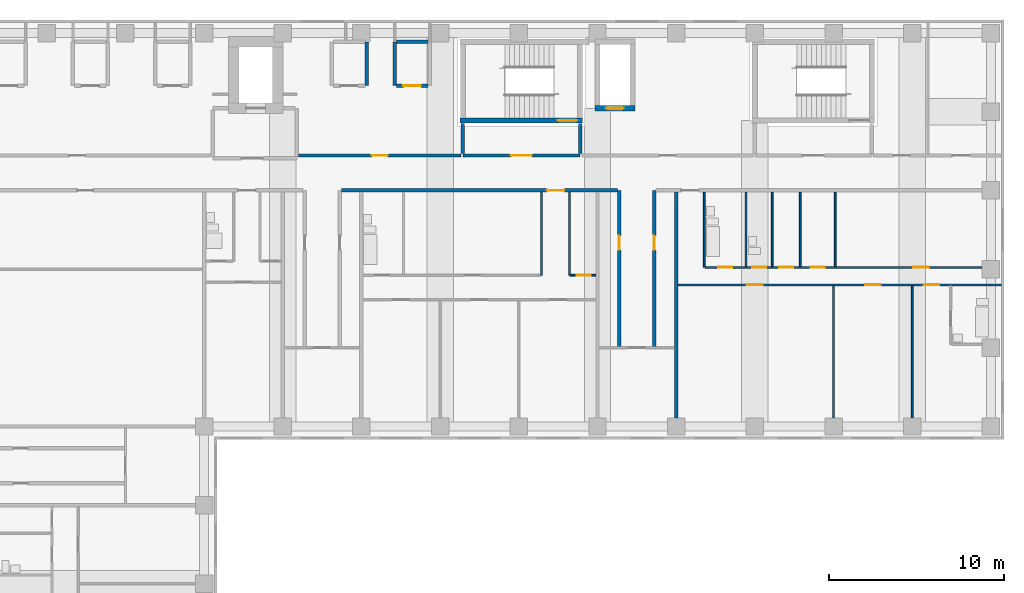
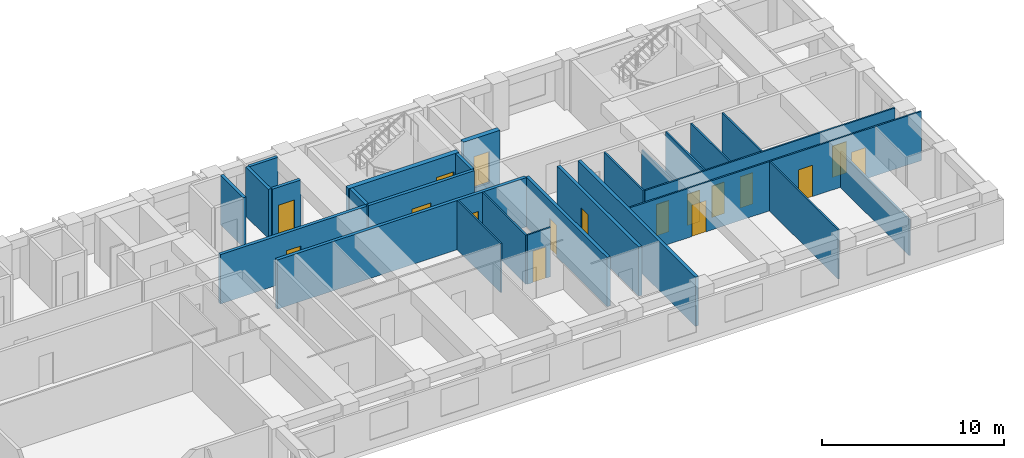
# One storey, part 7 of 12: 26 walls, 17 doors, 17 openings.
"""IFC4 building model written with IfcOpenShell, lengths in metres."""

from ifc_helpers import new_model, si_unit, direction, frame, frame_2d, origin, place, context, subcontext, project, spatial, rectangle, extrude, material, layer, layer_set, type_object, element, fill, save


model = new_model("IFC4")

# Units and contexts
model_context = context("Model", 3, precision=1e-05, world=origin(), true_north=direction((0.0, 1.0)))
body_context = subcontext(model_context, "Body", "Model", "MODEL_VIEW")
ifc_project = project(units=[si_unit("LENGTHUNIT", "METRE"), si_unit("AREAUNIT", "SQUARE_METRE"), si_unit("VOLUMEUNIT", "CUBIC_METRE"), si_unit("PLANEANGLEUNIT", "RADIAN"), si_unit("MASSUNIT", "GRAM", prefix="KILO")], contexts=[model_context])

# Site, building, storey
site_placement = place(None, origin())
site = spatial("IfcSite", under=ifc_project, at=site_placement, CompositionType="ELEMENT")
building_placement = place(site_placement, origin())
building = spatial("IfcBuilding", under=site, at=building_placement, Name="Firuza Court", CompositionType="ELEMENT")
storey_placement = place(building_placement, frame((0.0, 0.0, 144.800048828125)))
storey = spatial("IfcBuildingStorey", under=building, at=storey_placement, Name="L36", CompositionType="ELEMENT", Elevation=144.800048828125)

# Walls
ifc_material_1 = material(Name="Moisture-resistant gypsum board partition")
ifc_layer_1 = layer(ifc_material_1, 0.10009765625)
ifc_layer_set_1 = layer_set([ifc_layer_1], Name="Moisture-resistant gypsum board partition")
wall_type_1 = type_object("IfcWallType", Name="Bathroom partition 100", PredefinedType="PLUMBINGWALL", material=ifc_layer_set_1)
wall_1_placement = place(storey_placement, frame((51.10009765625, 45.10009765625, 0.0), z_axis=(0.0, 0.0, 1.0), x_axis=(0.0, 1.0, 0.0)))
element("IfcWall", 1, at=wall_1_placement, inside=storey, type_object=wall_type_1, Name="Bathroom partition 100 L36", PredefinedType="PLUMBINGWALL", context=body_context, shape_type="SweptSolid", body=[
    extrude(rectangle(XDim=4.2998046875, YDim=0.10009765625, at=frame_2d((2.14990234375, 0.0))), origin(), (0.0, 0.0, 1.0), 3.300048828125),
])
wall_2_placement = place(storey_placement, frame((53.5, 45.14990234375, 0.0), z_axis=(0.0, 0.0, 1.0), x_axis=(0.0, 1.0, 0.0)))
element("IfcWall", 2, at=wall_2_placement, inside=storey, type_object=wall_type_1, Name="Bathroom partition 100 L36", PredefinedType="PLUMBINGWALL", context=body_context, shape_type="SweptSolid", body=[
    extrude(rectangle(XDim=4.25, YDim=0.10009765625, at=frame_2d((2.125, 0.0))), origin(), (0.0, 0.0, 1.0), 2.599853515625),
])
wall_3_placement = place(storey_placement, frame((55.0, 45.14990234375, 0.0), z_axis=(0.0, 0.0, 1.0), x_axis=(0.0, 1.0, 0.0)))
element("IfcWall", 3, at=wall_3_placement, inside=storey, type_object=wall_type_1, Name="Bathroom partition 100 L36", PredefinedType="PLUMBINGWALL", context=body_context, shape_type="SweptSolid", body=[
    extrude(rectangle(XDim=4.25, YDim=0.10009765625, at=frame_2d((2.125, 0.0))), origin(), (0.0, 0.0, 1.0), 3.300048828125),
])

# Wall, opening, door
ifc_material_2 = material(Name="Concrete C60/75", Category="concrete")
ifc_layer_2 = layer(ifc_material_2, 0.300048828125)
ifc_layer_set_2 = layer_set([ifc_layer_2], Name="Concrete C60/75")
wall_type_2 = type_object("IfcWallType", Name="Core wall 300 C60/75", PredefinedType="SHEAR", material=ifc_layer_set_2)
wall_4_placement = place(storey_placement, frame((37.14990234375, 53.5, -0.300048828125), z_axis=(0.0, 0.0, 1.0), x_axis=(1.0, 0.0, 0.0)))
wall_4 = element("IfcWall", 4, at=wall_4_placement, inside=storey, type_object=wall_type_2, Name="Core wall stair L36", PredefinedType="SHEAR", context=body_context, shape_type="SweptSolid", body=[
    extrude(rectangle(XDim=7.0, YDim=0.300048828125, at=frame_2d((3.5, 0.0))), origin(), (0.0, 0.0, 1.0), 3.60009765625),
])
opening_1_placement = place(wall_4_placement, frame((5.580078125, 0.0, 0.300048828125)))
opening_1 = element("IfcOpeningElement", 5, at=opening_1_placement, cuts=wall_4, Name="Opening D36012", PredefinedType="OPENING", context=body_context, shape_type="SweptSolid", body=[
    extrude(rectangle(XDim=1.10009765625, YDim=2.10009765625, at=frame_2d((0.550048828125, 1.050048828125))), frame((0.0, 0.162109375, 0.0), z_axis=(0.0, -1.0, 0.0), x_axis=(1.0, 0.0, 0.0)), (0.0, 0.0, 1.0), 0.323974609375),
])
ifc_material_3 = material(Name="Timber door leaf in hardwood frame", Category="wood")
door_type_1 = type_object("IfcDoorType", Name="Stair door 1100", OperationType="SINGLE_SWING_LEFT", PredefinedType="DOOR", material=ifc_material_3)
door_1_placement = place(opening_1_placement, origin())
door_1 = element("IfcDoor", 6, at=door_1_placement, inside=storey, type_object=door_type_1, Name="Stair door S1", OperationType="SINGLE_SWING_RIGHT", OverallHeight=2.10009765625, OverallWidth=1.10009765625, PredefinedType="DOOR", context=body_context, shape_type="SweptSolid", body=[
    extrude(rectangle(XDim=1.10009765625, YDim=2.10009765625, at=frame_2d((0.550048828125, 1.050048828125))), frame((0.0, 0.02490234375, 0.0), z_axis=(0.0, -1.0, 0.0), x_axis=(1.0, 0.0, 0.0)), (0.0, 0.0, 1.0), 0.050048828125),
])
fill(opening_1, door_1)

wall_5_placement = place(storey_placement, frame((44.85009765625, 54.199951171875, -0.300048828125), z_axis=(0.0, 0.0, 1.0), x_axis=(1.0, 0.0, 0.0)))
wall_5 = element("IfcWall", 7, at=wall_5_placement, inside=storey, type_object=wall_type_2, Name="Core wall riser L36", PredefinedType="SHEAR", context=body_context, shape_type="SweptSolid", body=[
    extrude(rectangle(XDim=2.2998046875, YDim=0.300048828125, at=frame_2d((1.14990234375, 0.0))), origin(), (0.0, 0.0, 1.0), 3.60009765625),
])
opening_2_placement = place(wall_5_placement, frame((0.64990234375, 0.0, 0.300048828125)))
opening_2 = element("IfcOpeningElement", 8, at=opening_2_placement, cuts=wall_5, Name="Opening D36010", PredefinedType="OPENING", context=body_context, shape_type="SweptSolid", body=[
    extrude(rectangle(XDim=1.0, YDim=2.10009765625, at=frame_2d((0.5, 1.050048828125))), frame((0.0, 0.162109375, 0.0), z_axis=(0.0, -1.0, 0.0), x_axis=(1.0, 0.0, 0.0)), (0.0, 0.0, 1.0), 0.323974609375),
])
ifc_material_4 = material(Name="Timber door leaf in hardwood frame", Category="wood")
door_type_2 = type_object("IfcDoorType", Name="Riser door 1000", OperationType="SINGLE_SWING_LEFT", PredefinedType="DOOR", material=ifc_material_4)
door_2_placement = place(opening_2_placement, origin())
door_2 = element("IfcDoor", 9, at=door_2_placement, inside=storey, type_object=door_type_2, Name="Riser door R3", OperationType="SINGLE_SWING_LEFT", OverallHeight=2.10009765625, OverallWidth=1.0, PredefinedType="DOOR", context=body_context, shape_type="SweptSolid", body=[
    extrude(rectangle(XDim=1.0, YDim=2.10009765625, at=frame_2d((0.5, 1.050048828125))), frame((0.0, 0.02490234375, 0.0), z_axis=(0.0, -1.0, 0.0), x_axis=(1.0, 0.0, 0.0)), (0.0, 0.0, 1.0), 0.050048828125),
])
fill(opening_2, door_2)

ifc_material_5 = material(Name="Blockwork, plastered both sides", Category="masonry")
ifc_layer_3 = layer(ifc_material_5, 0.199951171875)
ifc_layer_set_3 = layer_set([ifc_layer_3], Name="Blockwork, plastered both sides")
wall_type_3 = type_object("IfcWallType", Name="Corridor wall 200", PredefinedType="PARTITIONING", material=ifc_layer_set_3)
wall_6_placement = place(storey_placement, frame((46.25, 40.550048828125, 0.0), z_axis=(0.0, 0.0, 1.0), x_axis=(0.0, 1.0, 0.0)))
wall_6 = element("IfcWall", 10, at=wall_6_placement, inside=storey, type_object=wall_type_3, Name="Corridor wall 200 L36", PredefinedType="PARTITIONING", context=body_context, shape_type="SweptSolid", body=[
    extrude(rectangle(XDim=8.949951171875, YDim=0.199951171875, at=frame_2d((4.47509765625, 0.0))), origin(), (0.0, 0.0, 1.0), 3.300048828125),
])
opening_3_placement = place(wall_6_placement, frame((5.550048828125, 0.0, 0.0)))
opening_3 = element("IfcOpeningElement", 11, at=opening_3_placement, cuts=wall_6, Name="Opening D36043", PredefinedType="OPENING", context=body_context, shape_type="SweptSolid", body=[
    extrude(rectangle(XDim=0.800048828125, YDim=2.10009765625, at=frame_2d((0.39990234375, 1.050048828125))), frame((0.0, 0.11181640625, 0.0), z_axis=(0.0, -1.0, 0.0), x_axis=(1.0, 0.0, 0.0)), (0.0, 0.0, 1.0), 0.223876953125),
])
ifc_material_6 = material(Name="Timber door leaf in hardwood frame", Category="wood")
door_type_3 = type_object("IfcDoorType", Name="Room door 800 EI 30", OperationType="SINGLE_SWING_LEFT", PredefinedType="DOOR", material=ifc_material_6)
door_3_placement = place(opening_3_placement, origin())
door_3 = element("IfcDoor", 12, at=door_3_placement, inside=storey, type_object=door_type_3, Name="Store door", OperationType="SINGLE_SWING_RIGHT", OverallHeight=2.10009765625, OverallWidth=0.800048828125, PredefinedType="DOOR", context=body_context, shape_type="SweptSolid", body=[
    extrude(rectangle(XDim=0.800048828125, YDim=2.10009765625, at=frame_2d((0.39990234375, 1.050048828125))), frame((0.0, 0.02490234375, 0.0), z_axis=(0.0, -1.0, 0.0), x_axis=(1.0, 0.0, 0.0)), (0.0, 0.0, 1.0), 0.050048828125),
])
fill(opening_3, door_3)

wall_7_placement = place(storey_placement, frame((48.25, 40.550048828125, 0.0), z_axis=(0.0, 0.0, 1.0), x_axis=(0.0, 1.0, 0.0)))
wall_7 = element("IfcWall", 13, at=wall_7_placement, inside=storey, type_object=wall_type_3, Name="Corridor wall 200 L36", PredefinedType="PARTITIONING", context=body_context, shape_type="SweptSolid", body=[
    extrude(rectangle(XDim=8.949951171875, YDim=0.199951171875, at=frame_2d((4.47509765625, 0.0))), origin(), (0.0, 0.0, 1.0), 3.300048828125),
])
opening_4_placement = place(wall_7_placement, frame((5.550048828125, 0.0, 0.0)))
opening_4 = element("IfcOpeningElement", 14, at=opening_4_placement, cuts=wall_7, Name="Opening D36044", PredefinedType="OPENING", context=body_context, shape_type="SweptSolid", body=[
    extrude(rectangle(XDim=0.800048828125, YDim=2.10009765625, at=frame_2d((0.39990234375, 1.050048828125))), frame((0.0, 0.11181640625, 0.0), z_axis=(0.0, -1.0, 0.0), x_axis=(1.0, 0.0, 0.0)), (0.0, 0.0, 1.0), 0.223876953125),
])
door_4_placement = place(opening_4_placement, frame((0.800048828125, 0.0, 0.0), z_axis=(0.0, 0.0, 1.0), x_axis=(-1.0, 0.0, 0.0)))
door_4 = element("IfcDoor", 15, at=door_4_placement, inside=storey, type_object=door_type_3, Name="Store door", OperationType="SINGLE_SWING_LEFT", OverallHeight=2.10009765625, OverallWidth=0.800048828125, PredefinedType="DOOR", context=body_context, shape_type="SweptSolid", body=[
    extrude(rectangle(XDim=0.800048828125, YDim=2.10009765625, at=frame_2d((0.39990234375, 1.050048828125))), frame((0.0, 0.02490234375, 0.0), z_axis=(0.0, -1.0, 0.0), x_axis=(1.0, 0.0, 0.0)), (0.0, 0.0, 1.0), 0.050048828125),
])
fill(opening_4, door_4)

wall_8_placement = place(storey_placement, frame((30.35009765625, 49.5, 0.0), z_axis=(0.0, 0.0, 1.0), x_axis=(1.0, 0.0, 0.0)))
wall_8 = element("IfcWall", 16, at=wall_8_placement, inside=storey, type_object=wall_type_3, Name="Corridor wall 200 L36", PredefinedType="PARTITIONING", context=body_context, shape_type="SweptSolid", body=[
    extrude(rectangle(XDim=15.7998046875, YDim=0.199951171875, at=frame_2d((7.89990234375, 0.0))), origin(), (0.0, 0.0, 1.0), 3.300048828125),
])
opening_5_placement = place(wall_8_placement, frame((11.75, 0.0, 0.0)))
opening_5 = element("IfcOpeningElement", 17, at=opening_5_placement, cuts=wall_8, Name="Opening D36065", PredefinedType="OPENING", context=body_context, shape_type="SweptSolid", body=[
    extrude(rectangle(XDim=1.0, YDim=2.10009765625, at=frame_2d((0.5, 1.050048828125))), frame((0.0, 0.11181640625, 0.0), z_axis=(0.0, -1.0, 0.0), x_axis=(1.0, 0.0, 0.0)), (0.0, 0.0, 1.0), 0.223876953125),
])
ifc_material_7 = material(Name="Timber door leaf in hardwood frame", Category="wood")
door_type_4 = type_object("IfcDoorType", Name="Flat entrance door 1000", OperationType="SINGLE_SWING_LEFT", PredefinedType="DOOR", material=ifc_material_7)
door_5_placement = place(opening_5_placement, origin())
door_5 = element("IfcDoor", 18, at=door_5_placement, inside=storey, type_object=door_type_4, Name="Flat entrance door", OperationType="SINGLE_SWING_LEFT", OverallHeight=2.10009765625, OverallWidth=1.0, PredefinedType="DOOR", context=body_context, shape_type="SweptSolid", body=[
    extrude(rectangle(XDim=1.0, YDim=2.10009765625, at=frame_2d((0.5, 1.050048828125))), frame((0.0, 0.02490234375, 0.0), z_axis=(0.0, -1.0, 0.0), x_axis=(1.0, 0.0, 0.0)), (0.0, 0.0, 1.0), 0.050048828125),
])
fill(opening_5, door_5)

wall_9_placement = place(storey_placement, frame((27.89990234375, 51.5, 0.0), z_axis=(0.0, 0.0, 1.0), x_axis=(1.0, 0.0, 0.0)))
wall_9 = element("IfcWall", 19, at=wall_9_placement, inside=storey, type_object=wall_type_3, Name="Corridor wall 200 L36", PredefinedType="PARTITIONING", context=body_context, shape_type="SweptSolid", body=[
    extrude(rectangle(XDim=9.300048828125, YDim=0.199951171875, at=frame_2d((4.64990234375, 0.0))), origin(), (0.0, 0.0, 1.0), 3.300048828125),
])
opening_6_placement = place(wall_9_placement, frame((4.199951171875, 0.0, 0.0)))
opening_6 = element("IfcOpeningElement", 20, at=opening_6_placement, cuts=wall_9, Name="Opening D36068", PredefinedType="OPENING", context=body_context, shape_type="SweptSolid", body=[
    extrude(rectangle(XDim=0.89990234375, YDim=2.10009765625, at=frame_2d((0.449951171875, 1.050048828125))), frame((0.0, 0.11181640625, 0.0), z_axis=(0.0, -1.0, 0.0), x_axis=(1.0, 0.0, 0.0)), (0.0, 0.0, 1.0), 0.223876953125),
])
ifc_material_8 = material(Name="Timber door leaf in hardwood frame", Category="wood")
door_type_5 = type_object("IfcDoorType", Name="Room door 900 EI 30", OperationType="SINGLE_SWING_LEFT", PredefinedType="DOOR", material=ifc_material_8)
door_6_placement = place(opening_6_placement, origin())
door_6 = element("IfcDoor", 21, at=door_6_placement, inside=storey, type_object=door_type_5, Name="Meeting room door", OperationType="SINGLE_SWING_LEFT", OverallHeight=2.10009765625, OverallWidth=0.89990234375, PredefinedType="DOOR", context=body_context, shape_type="SweptSolid", body=[
    extrude(rectangle(XDim=0.89990234375, YDim=2.10009765625, at=frame_2d((0.449951171875, 1.050048828125))), frame((0.0, 0.02490234375, 0.0), z_axis=(0.0, -1.0, 0.0), x_axis=(1.0, 0.0, 0.0)), (0.0, 0.0, 1.0), 0.050048828125),
])
fill(opening_6, door_6)

# Walls
ifc_material_9 = material(Name="Timber stud partition, plasterboard both sides", Category="wood")
ifc_layer_4 = layer(ifc_material_9, 0.10009765625)
ifc_layer_set_4 = layer_set([ifc_layer_4], Name="Timber stud partition, plasterboard both sides")
wall_type_4 = type_object("IfcWallType", Name="Partition wall 100", PredefinedType="PARTITIONING", material=ifc_layer_set_4)
wall_10_placement = place(storey_placement, frame((58.5, 36.5, 0.0), z_axis=(0.0, 0.0, 1.0), x_axis=(0.0, 1.0, 0.0)))
element("IfcWall", 22, at=wall_10_placement, inside=storey, type_object=wall_type_4, Name="Partition wall 100 L36", PredefinedType="PARTITIONING", context=body_context, shape_type="SweptSolid", body=[
    extrude(rectangle(XDim=7.550048828125, YDim=0.10009765625, at=frame_2d((3.77490234375, 0.0))), origin(), (0.0, 0.0, 1.0), 3.300048828125),
])
wall_11_placement = place(storey_placement, frame((63.0, 36.5, 0.0), z_axis=(0.0, 0.0, 1.0), x_axis=(0.0, 1.0, 0.0)))
element("IfcWall", 23, at=wall_11_placement, inside=storey, type_object=wall_type_4, Name="Partition wall 100 L36", PredefinedType="PARTITIONING", context=body_context, shape_type="SweptSolid", body=[
    extrude(rectangle(XDim=7.550048828125, YDim=0.10009765625, at=frame_2d((3.77490234375, 0.0))), origin(), (0.0, 0.0, 1.0), 2.39990234375),
])

# Wall, openings, doors
wall_12_placement = place(storey_placement, frame((49.60009765625, 44.10009765625, 0.0), z_axis=(0.0, 0.0, 1.0), x_axis=(1.0, 0.0, 0.0)))
wall_12 = element("IfcWall", 24, at=wall_12_placement, inside=storey, type_object=wall_type_4, Name="Partition wall 100 L36", PredefinedType="PARTITIONING", context=body_context, shape_type="SweptSolid", body=[
    extrude(rectangle(XDim=18.5, YDim=0.10009765625, at=frame_2d((9.25, 0.0))), origin(), (0.0, 0.0, 1.0), 3.300048828125),
])
opening_7_placement = place(wall_12_placement, frame((3.949951171875, 0.0, 0.0)))
opening_7 = element("IfcOpeningElement", 25, at=opening_7_placement, cuts=wall_12, Name="Opening D36049", PredefinedType="OPENING", context=body_context, shape_type="SweptSolid", body=[
    extrude(rectangle(XDim=0.89990234375, YDim=2.10009765625, at=frame_2d((0.449951171875, 1.050048828125))), frame((0.0, 0.06201171875, 0.0), z_axis=(0.0, -1.0, 0.0), x_axis=(1.0, 0.0, 0.0)), (0.0, 0.0, 1.0), 0.1240234375),
])
opening_8_placement = place(wall_12_placement, frame((10.699951171875, 0.0, 0.0)))
opening_8 = element("IfcOpeningElement", 26, at=opening_8_placement, cuts=wall_12, Name="Opening D36050", PredefinedType="OPENING", context=body_context, shape_type="SweptSolid", body=[
    extrude(rectangle(XDim=0.89990234375, YDim=2.10009765625, at=frame_2d((0.449951171875, 1.050048828125))), frame((0.0, 0.06201171875, 0.0), z_axis=(0.0, -1.0, 0.0), x_axis=(1.0, 0.0, 0.0)), (0.0, 0.0, 1.0), 0.1240234375),
])
opening_9_placement = place(wall_12_placement, frame((14.050048828125, 0.0, 0.0)))
opening_9 = element("IfcOpeningElement", 27, at=opening_9_placement, cuts=wall_12, Name="Opening D36051", PredefinedType="OPENING", context=body_context, shape_type="SweptSolid", body=[
    extrude(rectangle(XDim=0.89990234375, YDim=2.10009765625, at=frame_2d((0.449951171875, 1.050048828125))), frame((0.0, 0.06201171875, 0.0), z_axis=(0.0, -1.0, 0.0), x_axis=(1.0, 0.0, 0.0)), (0.0, 0.0, 1.0), 0.1240234375),
])
ifc_material_10 = material(Name="Timber door leaf in hardwood frame", Category="wood")
door_type_6 = type_object("IfcDoorType", Name="Room door 900", OperationType="SINGLE_SWING_LEFT", PredefinedType="DOOR", material=ifc_material_10)
door_7_placement = place(opening_7_placement, frame((0.89990234375, 0.0, 0.0), z_axis=(0.0, 0.0, 1.0), x_axis=(-1.0, 0.0, 0.0)))
door_7 = element("IfcDoor", 28, at=door_7_placement, inside=storey, type_object=door_type_6, Name="Living room door", OperationType="SINGLE_SWING_RIGHT", OverallHeight=2.10009765625, OverallWidth=0.89990234375, PredefinedType="DOOR", context=body_context, shape_type="SweptSolid", body=[
    extrude(rectangle(XDim=0.89990234375, YDim=2.10009765625, at=frame_2d((0.449951171875, 1.050048828125))), frame((0.0, 0.02490234375, 0.0), z_axis=(0.0, -1.0, 0.0), x_axis=(1.0, 0.0, 0.0)), (0.0, 0.0, 1.0), 0.050048828125),
])
fill(opening_7, door_7)
door_8_placement = place(opening_8_placement, frame((0.89990234375, 0.0, 0.0), z_axis=(0.0, 0.0, 1.0), x_axis=(-1.0, 0.0, 0.0)))
door_8 = element("IfcDoor", 29, at=door_8_placement, inside=storey, type_object=door_type_6, Name="Bedroom door", OperationType="SINGLE_SWING_RIGHT", OverallHeight=2.10009765625, OverallWidth=0.89990234375, PredefinedType="DOOR", context=body_context, shape_type="SweptSolid", body=[
    extrude(rectangle(XDim=0.89990234375, YDim=2.10009765625, at=frame_2d((0.449951171875, 1.050048828125))), frame((0.0, 0.02490234375, 0.0), z_axis=(0.0, -1.0, 0.0), x_axis=(1.0, 0.0, 0.0)), (0.0, 0.0, 1.0), 0.050048828125),
])
fill(opening_8, door_8)
door_9_placement = place(opening_9_placement, origin())
door_9 = element("IfcDoor", 30, at=door_9_placement, inside=storey, type_object=door_type_6, Name="Bedroom door", OperationType="SINGLE_SWING_RIGHT", OverallHeight=2.10009765625, OverallWidth=0.89990234375, PredefinedType="DOOR", context=body_context, shape_type="SweptSolid", body=[
    extrude(rectangle(XDim=0.89990234375, YDim=2.10009765625, at=frame_2d((0.449951171875, 1.050048828125))), frame((0.0, 0.02490234375, 0.0), z_axis=(0.0, -1.0, 0.0), x_axis=(1.0, 0.0, 0.0)), (0.0, 0.0, 1.0), 0.050048828125),
])
fill(opening_9, door_9)

# Walls
for number, where, z_axis, x_axis, name in (
    (31, (41.800048828125, 44.64990234375, 0.0), (0.0, 0.0, 1.0), (0.0, 1.0, 0.0), "Partition wall 100 L36"),
    (32, (43.39990234375, 44.64990234375, 0.0), (0.0, 0.0, 1.0), (0.0, 1.0, 0.0), "Partition wall 100 L36"),
):
    element("IfcWall", number, at=place(storey_placement, frame(where, z_axis=z_axis, x_axis=x_axis)), inside=storey, type_object=wall_type_4, Name=name, PredefinedType="PARTITIONING", context=body_context, shape_type="SweptSolid", body=[
        extrude(rectangle(XDim=4.75, YDim=0.10009765625, at=frame_2d((2.375, 0.0))), origin(), (0.0, 0.0, 1.0), 3.300048828125),
    ])

# Wall, opening, door
wall_13_placement = place(storey_placement, frame((43.449951171875, 44.64990234375, 0.0), z_axis=(0.0, 0.0, 1.0), x_axis=(1.0, 0.0, 0.0)))
wall_13 = element("IfcWall", 33, at=wall_13_placement, inside=storey, type_object=wall_type_4, Name="Partition wall 100 L36", PredefinedType="PARTITIONING", context=body_context, shape_type="SweptSolid", body=[
    extrude(rectangle(XDim=1.449951171875, YDim=0.10009765625, at=frame_2d((0.72509765625, 0.0))), origin(), (0.0, 0.0, 1.0), 3.300048828125),
])
opening_10_placement = place(wall_13_placement, frame((0.35009765625, 0.0, 0.0)))
opening_10 = element("IfcOpeningElement", 34, at=opening_10_placement, cuts=wall_13, Name="Opening D36055", PredefinedType="OPENING", context=body_context, shape_type="SweptSolid", body=[
    extrude(rectangle(XDim=0.800048828125, YDim=2.10009765625, at=frame_2d((0.39990234375, 1.050048828125))), frame((0.0, 0.06201171875, 0.0), z_axis=(0.0, -1.0, 0.0), x_axis=(1.0, 0.0, 0.0)), (0.0, 0.0, 1.0), 0.1240234375),
])
ifc_material_11 = material(Name="Timber door leaf in hardwood frame", Category="wood")
door_type_7 = type_object("IfcDoorType", Name="Room door 800", OperationType="SINGLE_SWING_LEFT", PredefinedType="DOOR", material=ifc_material_11)
door_10_placement = place(opening_10_placement, origin())
door_10 = element("IfcDoor", 35, at=door_10_placement, inside=storey, type_object=door_type_7, Name="Store door", OperationType="SINGLE_SWING_LEFT", OverallHeight=2.10009765625, OverallWidth=0.800048828125, PredefinedType="DOOR", context=body_context, shape_type="SweptSolid", body=[
    extrude(rectangle(XDim=0.800048828125, YDim=2.10009765625, at=frame_2d((0.39990234375, 1.050048828125))), frame((0.0, 0.02490234375, 0.0), z_axis=(0.0, -1.0, 0.0), x_axis=(1.0, 0.0, 0.0)), (0.0, 0.0, 1.0), 0.050048828125),
])
fill(opening_10, door_10)

# Wall, openings, doors
wall_14_placement = place(storey_placement, frame((51.14990234375, 45.10009765625, 0.0), z_axis=(0.0, 0.0, 1.0), x_axis=(1.0, 0.0, 0.0)))
wall_14 = element("IfcWall", 36, at=wall_14_placement, inside=storey, type_object=wall_type_4, Name="Partition wall 100 L36", PredefinedType="PARTITIONING", context=body_context, shape_type="SweptSolid", body=[
    extrude(rectangle(XDim=15.85009765625, YDim=0.10009765625, at=frame_2d((7.925048828125, 0.0))), origin(), (0.0, 0.0, 1.0), 3.300048828125),
])
opening_11_placement = place(wall_14_placement, frame((0.75, 0.0, 0.0)))
opening_11 = element("IfcOpeningElement", 37, at=opening_11_placement, cuts=wall_14, Name="Opening D36056", PredefinedType="OPENING", context=body_context, shape_type="SweptSolid", body=[
    extrude(rectangle(XDim=0.800048828125, YDim=2.10009765625, at=frame_2d((0.39990234375, 1.050048828125))), frame((0.0, 0.06201171875, 0.0), z_axis=(0.0, -1.0, 0.0), x_axis=(1.0, 0.0, 0.0)), (0.0, 0.0, 1.0), 0.1240234375),
])
opening_12_placement = place(wall_14_placement, frame((11.89990234375, 0.0, 0.0)))
opening_12 = element("IfcOpeningElement", 38, at=opening_12_placement, cuts=wall_14, Name="Opening D36057", PredefinedType="OPENING", context=body_context, shape_type="SweptSolid", body=[
    extrude(rectangle(XDim=0.89990234375, YDim=2.10009765625, at=frame_2d((0.449951171875, 1.050048828125))), frame((0.0, 0.06201171875, 0.0), z_axis=(0.0, -1.0, 0.0), x_axis=(1.0, 0.0, 0.0)), (0.0, 0.0, 1.0), 0.1240234375),
])
opening_13_placement = place(wall_14_placement, frame((4.25, 0.0, 0.0)))
opening_13 = element("IfcOpeningElement", 39, at=opening_13_placement, cuts=wall_14, Name="Opening D36058", PredefinedType="OPENING", context=body_context, shape_type="SweptSolid", body=[
    extrude(rectangle(XDim=0.800048828125, YDim=2.10009765625, at=frame_2d((0.39990234375, 1.050048828125))), frame((0.0, 0.06201171875, 0.0), z_axis=(0.0, -1.0, 0.0), x_axis=(1.0, 0.0, 0.0)), (0.0, 0.0, 1.0), 0.1240234375),
])
opening_14_placement = place(wall_14_placement, frame((6.050048828125, 0.0, 0.0)))
opening_14 = element("IfcOpeningElement", 40, at=opening_14_placement, cuts=wall_14, Name="Opening D36059", PredefinedType="OPENING", context=body_context, shape_type="SweptSolid", body=[
    extrude(rectangle(XDim=0.800048828125, YDim=2.10009765625, at=frame_2d((0.39990234375, 1.050048828125))), frame((0.0, 0.06201171875, 0.0), z_axis=(0.0, -1.0, 0.0), x_axis=(1.0, 0.0, 0.0)), (0.0, 0.0, 1.0), 0.1240234375),
])
opening_15_placement = place(wall_14_placement, frame((2.699951171875, 0.0, 0.0)))
opening_15 = element("IfcOpeningElement", 41, at=opening_15_placement, cuts=wall_14, Name="Opening D36060", PredefinedType="OPENING", context=body_context, shape_type="SweptSolid", body=[
    extrude(rectangle(XDim=0.800048828125, YDim=2.10009765625, at=frame_2d((0.39990234375, 1.050048828125))), frame((0.0, 0.06201171875, 0.0), z_axis=(0.0, -1.0, 0.0), x_axis=(1.0, 0.0, 0.0)), (0.0, 0.0, 1.0), 0.1240234375),
])
ifc_material_12 = material(Name="Timber door leaf in hardwood frame", Category="wood")
door_type_8 = type_object("IfcDoorType", Name="Bathroom door 800", OperationType="SINGLE_SWING_LEFT", PredefinedType="DOOR", material=ifc_material_12)
door_11_placement = place(opening_11_placement, origin())
door_11 = element("IfcDoor", 42, at=door_11_placement, inside=storey, type_object=door_type_8, Name="Bathroom door", OperationType="SINGLE_SWING_LEFT", OverallHeight=2.10009765625, OverallWidth=0.800048828125, PredefinedType="DOOR", context=body_context, shape_type="SweptSolid", body=[
    extrude(rectangle(XDim=0.800048828125, YDim=2.10009765625, at=frame_2d((0.39990234375, 1.050048828125))), frame((0.0, 0.02490234375, 0.0), z_axis=(0.0, -1.0, 0.0), x_axis=(1.0, 0.0, 0.0)), (0.0, 0.0, 1.0), 0.050048828125),
])
fill(opening_11, door_11)
door_12_placement = place(opening_15_placement, origin())
door_12 = element("IfcDoor", 43, at=door_12_placement, inside=storey, type_object=door_type_8, Name="Powder room door", OperationType="SINGLE_SWING_LEFT", OverallHeight=2.10009765625, OverallWidth=0.800048828125, PredefinedType="DOOR", context=body_context, shape_type="SweptSolid", body=[
    extrude(rectangle(XDim=0.800048828125, YDim=2.10009765625, at=frame_2d((0.39990234375, 1.050048828125))), frame((0.0, 0.02490234375, 0.0), z_axis=(0.0, -1.0, 0.0), x_axis=(1.0, 0.0, 0.0)), (0.0, 0.0, 1.0), 0.050048828125),
])
fill(opening_15, door_12)
door_13_placement = place(opening_13_placement, origin())
door_13 = element("IfcDoor", 44, at=door_13_placement, inside=storey, type_object=door_type_7, Name="Store door", OperationType="SINGLE_SWING_LEFT", OverallHeight=2.10009765625, OverallWidth=0.800048828125, PredefinedType="DOOR", context=body_context, shape_type="SweptSolid", body=[
    extrude(rectangle(XDim=0.800048828125, YDim=2.10009765625, at=frame_2d((0.39990234375, 1.050048828125))), frame((0.0, 0.02490234375, 0.0), z_axis=(0.0, -1.0, 0.0), x_axis=(1.0, 0.0, 0.0)), (0.0, 0.0, 1.0), 0.050048828125),
])
fill(opening_13, door_13)
door_14_placement = place(opening_14_placement, origin())
door_14 = element("IfcDoor", 45, at=door_14_placement, inside=storey, type_object=door_type_7, Name="Utility room door", OperationType="SINGLE_SWING_LEFT", OverallHeight=2.10009765625, OverallWidth=0.800048828125, PredefinedType="DOOR", context=body_context, shape_type="SweptSolid", body=[
    extrude(rectangle(XDim=0.800048828125, YDim=2.10009765625, at=frame_2d((0.39990234375, 1.050048828125))), frame((0.0, 0.02490234375, 0.0), z_axis=(0.0, -1.0, 0.0), x_axis=(1.0, 0.0, 0.0)), (0.0, 0.0, 1.0), 0.050048828125),
])
fill(opening_14, door_14)
door_15_placement = place(opening_12_placement, origin())
door_15 = element("IfcDoor", 46, at=door_15_placement, inside=storey, type_object=door_type_6, Name="Kitchen door", OperationType="SINGLE_SWING_RIGHT", OverallHeight=2.10009765625, OverallWidth=0.89990234375, PredefinedType="DOOR", context=body_context, shape_type="SweptSolid", body=[
    extrude(rectangle(XDim=0.89990234375, YDim=2.10009765625, at=frame_2d((0.449951171875, 1.050048828125))), frame((0.0, 0.02490234375, 0.0), z_axis=(0.0, -1.0, 0.0), x_axis=(1.0, 0.0, 0.0)), (0.0, 0.0, 1.0), 0.050048828125),
])
fill(opening_12, door_15)

# Walls
for number, where, z_axis, x_axis, name in (
    (47, (56.60009765625, 45.14990234375, 0.0), (0.0, 0.0, 1.0), (0.0, 1.0, 0.0), "Partition wall 100 L36"),
    (48, (58.60009765625, 45.14990234375, 0.0), (0.0, 0.0, 1.0), (0.0, 1.0, 0.0), "Partition wall 100 L36"),
):
    element("IfcWall", number, at=place(storey_placement, frame(where, z_axis=z_axis, x_axis=x_axis)), inside=storey, type_object=wall_type_4, Name=name, PredefinedType="PARTITIONING", context=body_context, shape_type="SweptSolid", body=[
        extrude(rectangle(XDim=4.25, YDim=0.10009765625, at=frame_2d((2.125, 0.0))), origin(), (0.0, 0.0, 1.0), 3.300048828125),
    ])
ifc_layer_5 = layer(ifc_material_5, 0.199951171875)
ifc_layer_set_5 = layer_set([ifc_layer_5], Name="Blockwork, plastered both sides")
wall_type_5 = type_object("IfcWallType", Name="Party wall 200", PredefinedType="PARTITIONING", material=ifc_layer_set_5)
wall_15_placement = place(storey_placement, frame((49.5, 36.5, 0.0), z_axis=(0.0, 0.0, 1.0), x_axis=(0.0, 1.0, 0.0)))
element("IfcWall", 49, at=wall_15_placement, inside=storey, type_object=wall_type_5, Name="Party wall 200 L36", PredefinedType="PARTITIONING", context=body_context, shape_type="SweptSolid", body=[
    extrude(rectangle(XDim=12.89990234375, YDim=0.199951171875, at=frame_2d((6.449951171875, 0.0))), origin(), (0.0, 0.0, 1.0), 3.300048828125),
])
ifc_material_13 = material(Name="Blockwork, fire-rated", Category="masonry")
ifc_layer_6 = layer(ifc_material_13, 0.199951171875)
ifc_layer_set_6 = layer_set([ifc_layer_6], Name="Blockwork, fire-rated")
wall_type_6 = type_object("IfcWallType", Name="Plant room wall 200", PredefinedType="PARTITIONING", material=ifc_layer_set_6)
for number, where, z_axis, x_axis, name in (
    (50, (31.800048828125, 55.5, 0.0), (0.0, 0.0, 1.0), (0.0, 1.0, 0.0), "Plant room wall 200 L36"),
    (51, (33.39990234375, 55.5, 0.0), (0.0, 0.0, 1.0), (0.0, 1.0, 0.0), "Plant room wall 200 L36"),
):
    element("IfcWall", number, at=place(storey_placement, frame(where, z_axis=z_axis, x_axis=x_axis)), inside=storey, type_object=wall_type_6, Name=name, PredefinedType="PARTITIONING", context=body_context, shape_type="SweptSolid", body=[
        extrude(rectangle(XDim=2.5, YDim=0.199951171875, at=frame_2d((1.25, 0.0))), origin(), (0.0, 0.0, 1.0), 3.300048828125),
    ])

# Wall, opening, door
wall_16_placement = place(storey_placement, frame((33.5, 55.5, 0.0), z_axis=(0.0, 0.0, 1.0), x_axis=(1.0, 0.0, 0.0)))
wall_16 = element("IfcWall", 52, at=wall_16_placement, inside=storey, type_object=wall_type_6, Name="Plant room wall 200 L36", PredefinedType="PARTITIONING", context=body_context, shape_type="SweptSolid", body=[
    extrude(rectangle(XDim=1.800048828125, YDim=0.199951171875, at=frame_2d((0.89990234375, 0.0))), origin(), (0.0, 0.0, 1.0), 3.300048828125),
])
opening_16_placement = place(wall_16_placement, frame((0.39990234375, 0.0, 0.0)))
opening_16 = element("IfcOpeningElement", 53, at=opening_16_placement, cuts=wall_16, Name="Opening D36076", PredefinedType="OPENING", context=body_context, shape_type="SweptSolid", body=[
    extrude(rectangle(XDim=1.0, YDim=2.10009765625, at=frame_2d((0.5, 1.050048828125))), frame((0.0, 0.11181640625, 0.0), z_axis=(0.0, -1.0, 0.0), x_axis=(1.0, 0.0, 0.0)), (0.0, 0.0, 1.0), 0.223876953125),
])
door_16_placement = place(opening_16_placement, origin())
door_16 = element("IfcDoor", 54, at=door_16_placement, inside=storey, type_object=door_type_2, Name="Duct riser door", OperationType="SINGLE_SWING_LEFT", OverallHeight=2.10009765625, OverallWidth=1.0, PredefinedType="DOOR", context=body_context, shape_type="SweptSolid", body=[
    extrude(rectangle(XDim=1.0, YDim=2.10009765625, at=frame_2d((0.5, 1.050048828125))), frame((0.0, 0.02490234375, 0.0), z_axis=(0.0, -1.0, 0.0), x_axis=(1.0, 0.0, 0.0)), (0.0, 0.0, 1.0), 0.050048828125),
])
fill(opening_16, door_16)

# Wall
wall_17_placement = place(storey_placement, frame((33.5, 58.0, 0.0), z_axis=(0.0, 0.0, 1.0), x_axis=(1.0, 0.0, 0.0)))
element("IfcWall", 55, at=wall_17_placement, inside=storey, type_object=wall_type_6, Name="Plant room wall 200 L36", PredefinedType="PARTITIONING", context=body_context, shape_type="SweptSolid", body=[
    extrude(rectangle(XDim=1.800048828125, YDim=0.199951171875, at=frame_2d((0.89990234375, 0.0))), origin(), (0.0, 0.0, 1.0), 3.300048828125),
])

# Wall, opening, door
ifc_layer_7 = layer(ifc_material_13, 0.199951171875)
ifc_layer_set_7 = layer_set([ifc_layer_7], Name="Blockwork, fire-rated")
wall_type_7 = type_object("IfcWallType", Name="Shaft wall 200", PredefinedType="PARTITIONING", material=ifc_layer_set_7)
wall_18_placement = place(storey_placement, frame((37.300048828125, 51.5, 0.0), z_axis=(0.0, 0.0, 1.0), x_axis=(1.0, 0.0, 0.0)))
wall_18 = element("IfcWall", 56, at=wall_18_placement, inside=storey, type_object=wall_type_7, Name="Shaft wall 200 L36", PredefinedType="PARTITIONING", context=body_context, shape_type="SweptSolid", body=[
    extrude(rectangle(XDim=6.699951171875, YDim=0.199951171875, at=frame_2d((3.35009765625, 0.0))), origin(), (0.0, 0.0, 1.0), 3.300048828125),
])
opening_17_placement = place(wall_18_placement, frame((2.75, 0.0, 0.0)))
opening_17 = element("IfcOpeningElement", 57, at=opening_17_placement, cuts=wall_18, Name="Opening D36006", PredefinedType="OPENING", context=body_context, shape_type="SweptSolid", body=[
    extrude(rectangle(XDim=1.199951171875, YDim=2.10009765625, at=frame_2d((0.60009765625, 1.050048828125))), frame((0.0, 0.11181640625, 0.0), z_axis=(0.0, -1.0, 0.0), x_axis=(1.0, 0.0, 0.0)), (0.0, 0.0, 1.0), 0.223876953125),
])
ifc_material_14 = material(Name="Timber door leaf in hardwood frame", Category="wood")
door_type_9 = type_object("IfcDoorType", Name="Lobby door 1200", OperationType="SINGLE_SWING_LEFT", PredefinedType="DOOR", material=ifc_material_14)
door_17_placement = place(opening_17_placement, origin())
door_17 = element("IfcDoor", 58, at=door_17_placement, inside=storey, type_object=door_type_9, Name="Lobby door", OperationType="SINGLE_SWING_LEFT", OverallHeight=2.10009765625, OverallWidth=1.199951171875, PredefinedType="DOOR", context=body_context, shape_type="SweptSolid", body=[
    extrude(rectangle(XDim=1.199951171875, YDim=2.10009765625, at=frame_2d((0.60009765625, 1.050048828125))), frame((0.0, 0.02490234375, 0.0), z_axis=(0.0, -1.0, 0.0), x_axis=(1.0, 0.0, 0.0)), (0.0, 0.0, 1.0), 0.050048828125),
])
fill(opening_17, door_17)

# Walls
for number, where, z_axis, x_axis, name in (
    (59, (44.0, 51.60009765625, 0.0), (0.0, 0.0, 1.0), (0.0, 1.0, 0.0), "Shaft wall 200 L36"),
    (60, (37.300048828125, 51.60009765625, 0.0), (0.0, 0.0, 1.0), (0.0, 1.0, 0.0), "Shaft wall 200 L36"),
):
    element("IfcWall", number, at=place(storey_placement, frame(where, z_axis=z_axis, x_axis=x_axis)), inside=storey, type_object=wall_type_7, Name=name, PredefinedType="PARTITIONING", context=body_context, shape_type="SweptSolid", body=[
        extrude(rectangle(XDim=1.72998046875, YDim=0.199951171875, at=frame_2d((0.864990234375, 0.0))), origin(), (0.0, 0.0, 1.0), 3.300048828125),
    ])

save(model, "model.ifc")
